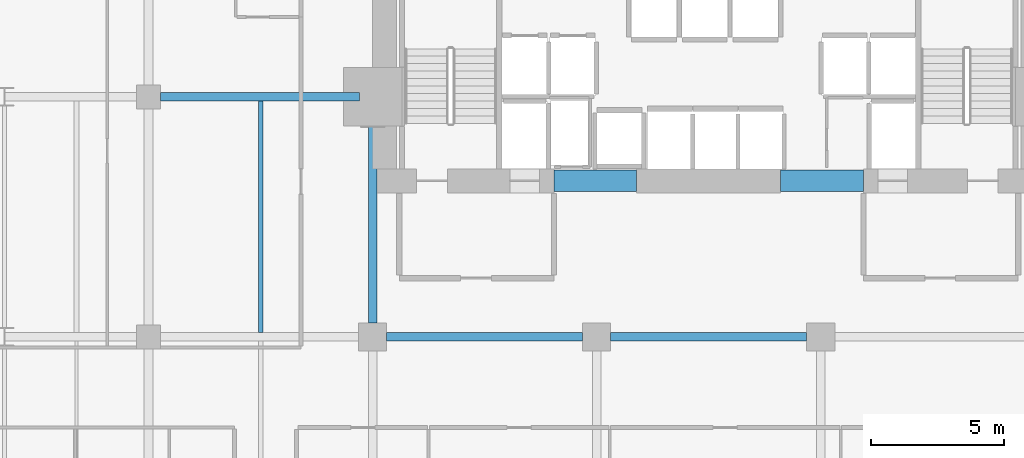
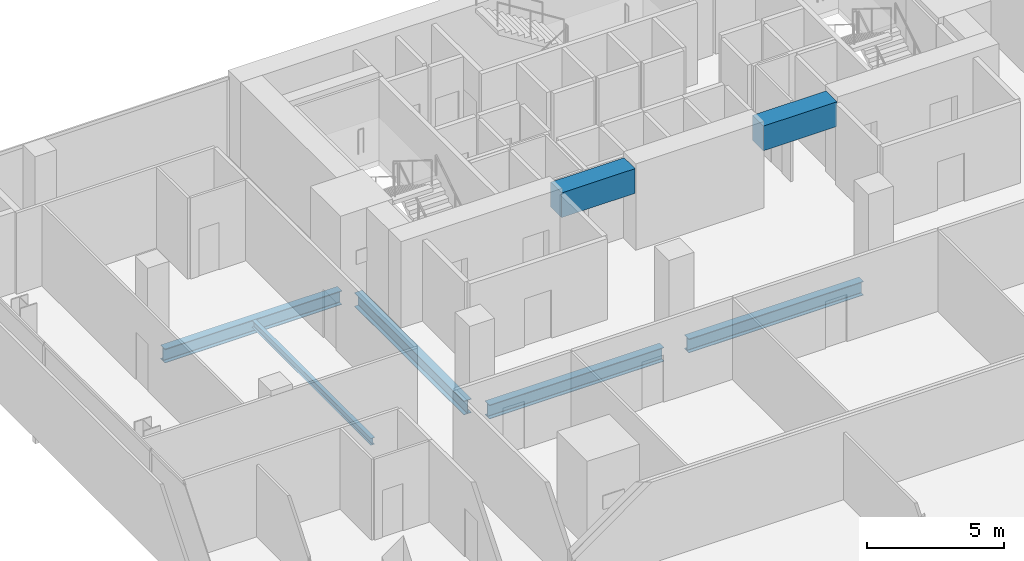
# One storey, part 24 of 39: 7 beams.
"""IFC4 building model written with IfcOpenShell, lengths in metres."""

import ifcopenshell
import ifcopenshell.guid

model = None  # the IFC model being written
_history = None  # IfcOwnerHistory: only IFC2X3 demands one
_inside = {}  # id of a spatial element -> (the spatial element, [elements in it])
_under = {}  # id of a project, library or spatial element -> (it, [spatial elements below it])
_declared = {}  # id of a project -> (the project, [libraries it declares])
_typed = {}  # id of a type object -> (the type object, [elements of that type])
_made_of = {}  # id of a material, layer set ... -> (it, [elements and type objects made of it])


def new_model(schema):
    """Start an empty IFC model of exactly this schema.

    Asked for "IFC4X3", IfcOpenShell would pick the latest addendum, in which some entities
    have other attributes; the version numbers below select the first issue.
    IFC2X3 requires an IfcOwnerHistory on every rooted entity: one is made here for all.
    """
    global model, _history
    if schema == "IFC4X3":
        model = ifcopenshell.file(schema_version=(4, 3, 0, 0))
    else:
        model = ifcopenshell.file(schema=schema)
    _inside.clear()
    _under.clear()
    _declared.clear()
    _typed.clear()
    _made_of.clear()
    _history = None
    if model.schema == "IFC2X3":
        org = make("IfcOrganization", Name="unknown")
        user = make(
            "IfcPersonAndOrganization",
            ThePerson=make("IfcPerson", FamilyName="unknown"),
            TheOrganization=org,
        )
        app = make(
            "IfcApplication",
            ApplicationDeveloper=org,
            Version="unknown",
            ApplicationFullName="unknown",
            ApplicationIdentifier="unknown",
        )
        _history = make(
            "IfcOwnerHistory",
            OwningUser=user,
            OwningApplication=app,
            ChangeAction="ADDED",
            CreationDate=0,
        )
    return model


def make(cls, **values):
    """One entity of the class cls with the attributes given. An attribute that is None is left unset."""
    return model.create_entity(
        cls, **{name: value for name, value in values.items() if value is not None}
    )


def rooted(cls, **values):
    """An entity with a GlobalId (a new one), such as an element, a storey or a relation."""
    return make(cls, GlobalId=ifcopenshell.guid.new(), OwnerHistory=_history, **values)


def si_unit(unit_type, name, prefix=None):
    """IfcSIUnit, for example si_unit("LENGTHUNIT", "METRE", prefix="MILLI")."""
    return make("IfcSIUnit", UnitType=unit_type, Prefix=prefix, Name=name)


def assignment(units):
    """IfcUnitAssignment: the units of a project."""
    return None if units is None else make("IfcUnitAssignment", Units=units)


def point(xyz):
    """IfcCartesianPoint."""
    return None if xyz is None else make("IfcCartesianPoint", Coordinates=xyz)


def direction(xyz):
    """IfcDirection."""
    return None if xyz is None else make("IfcDirection", DirectionRatios=xyz)


def frame(location, z_axis=None, x_axis=None):
    """IfcAxis2Placement3D, a coordinate frame: its origin and axes. An axis left out is left unset."""
    return make(
        "IfcAxis2Placement3D",
        Location=point(location),
        Axis=direction(z_axis),
        RefDirection=direction(x_axis),
    )


def frame_2d(location, x_axis=None):
    """IfcAxis2Placement2D, a coordinate frame in the plane: its origin and x axis."""
    return make(
        "IfcAxis2Placement2D", Location=point(location), RefDirection=direction(x_axis)
    )


def origin():
    """The frame at (0, 0, 0) with its axes left unset."""
    return frame((0.0, 0.0, 0.0))


def origin_2d():
    """The frame at (0, 0) in the plane with its x axis left unset."""
    return frame_2d((0.0, 0.0))


def place(relative_to, where):
    """IfcLocalPlacement: puts the frame where relative to a parent placement (None: the world)."""
    return make(
        "IfcLocalPlacement", PlacementRelTo=relative_to, RelativePlacement=where
    )


def context(
    kind, dimensions, precision=None, world=None, true_north=None, identifier=None
):
    """IfcGeometricRepresentationContext, for example the 3D "Model" context."""
    return make(
        "IfcGeometricRepresentationContext",
        ContextIdentifier=identifier,
        ContextType=kind,
        CoordinateSpaceDimension=dimensions,
        Precision=precision,
        WorldCoordinateSystem=world,
        TrueNorth=true_north,
    )


def subcontext(parent, identifier, kind, view, scale=None):
    """IfcGeometricRepresentationSubContext, for example "Body" below "Model"."""
    return make(
        "IfcGeometricRepresentationSubContext",
        ContextIdentifier=identifier,
        ContextType=kind,
        ParentContext=parent,
        TargetScale=scale,
        TargetView=view,
    )


def project(units=None, contexts=None):
    """IfcProject with its units and contexts."""
    return rooted(
        "IfcProject",
        Name="project",
        RepresentationContexts=contexts,
        UnitsInContext=assignment(units),
    )


def spatial(cls, under=None, at=None, **own):
    """A site, building, storey or space (cls), placed at a placement, below another one or the project."""
    s = rooted(cls, ObjectPlacement=at, **own)
    if under is not None:
        _under.setdefault(under.id(), (under, []))[1].append(s)
    return s


def profile(cls, at=None, kind="AREA", **sizes):
    """A parametric profile (cls). Its sizes go by their IFC names, for example OverallWidth=200.0."""
    return make(cls, ProfileType=kind, Position=at, **sizes)


def rectangle(**sizes):
    """IfcRectangleProfileDef."""
    return profile("IfcRectangleProfileDef", **sizes)


def i_section(**sizes):
    """IfcIShapeProfileDef."""
    return profile("IfcIShapeProfileDef", **sizes)


def extrude(swept, where, along, depth):
    """IfcExtrudedAreaSolid: the profile swept, set in the frame where, extruded along a direction by depth."""
    return make(
        "IfcExtrudedAreaSolid",
        SweptArea=swept,
        Position=where,
        ExtrudedDirection=direction(along),
        Depth=depth,
    )


def shape(context_of_items, identifier, shape_type, items):
    """IfcShapeRepresentation: the items that make up one representation, for example the "Body"."""
    return make(
        "IfcShapeRepresentation",
        ContextOfItems=context_of_items,
        RepresentationIdentifier=identifier,
        RepresentationType=shape_type,
        Items=items,
    )


def material(Name=None, Category=None):
    """IfcMaterial."""
    return make("IfcMaterial", Name=Name, Category=Category)


def material_profile(
    of_material, cross_section, Name=None, Category=None, Priority=None
):
    """IfcMaterialProfile: a cross section and its material."""
    return make(
        "IfcMaterialProfile",
        Name=Name,
        Material=of_material,
        Profile=cross_section,
        Priority=Priority,
        Category=Category,
    )


def profile_set(profiles, Name=None, composite=None):
    """IfcMaterialProfileSet."""
    return make(
        "IfcMaterialProfileSet",
        Name=Name,
        MaterialProfiles=profiles,
        CompositeProfile=composite,
    )


def made_of(thing, what):
    """Note that an element or type object is made of a material, layer set ...; save() writes the relation."""
    if what is not None:
        _made_of.setdefault(what.id(), (what, []))[1].append(thing)
    return thing


def type_object(cls, material=None, **own):
    """A type object (cls), such as IfcWallType, which elements share."""
    return made_of(rooted(cls, **own), material)


def element(
    cls,
    number,
    at=None,
    inside=None,
    cuts=None,
    type_object=None,
    material=None,
    context=None,
    identifier="Body",
    shape_type=None,
    held_by="IfcProductDefinitionShape",
    body=None,
    shapes=None,
    **own,
):
    """One element of the class cls, such as IfcWall. Its Tag is "e" and its number.

    at: its placement. inside: the storey or other place that contains it. cuts: it is an
    opening in that element (IfcRelVoidsElement). A single representation is given by context,
    identifier, shape_type and body (its items); several are given by shapes. held_by: the class
    of the entity that holds the representations. save() writes the other relations.
    """
    e = rooted(cls, Tag="e%d" % number, ObjectPlacement=at, **own)
    if body is not None:
        shapes = [shape(context, identifier, shape_type, body)]
    if shapes is not None:
        e.Representation = make(held_by, Representations=shapes)
    if inside is not None:
        _inside.setdefault(inside.id(), (inside, []))[1].append(e)
    if cuts is not None:
        rooted(
            "IfcRelVoidsElement", RelatingBuildingElement=cuts, RelatedOpeningElement=e
        )
    if type_object is not None:
        _typed.setdefault(type_object.id(), (type_object, []))[1].append(e)
    return made_of(e, material)


def aggregate(whole, parts):
    """IfcRelAggregates: a whole, such as a stair, and the parts it consists of."""
    return rooted("IfcRelAggregates", RelatingObject=whole, RelatedObjects=parts)


def save(model, path):
    """Write the relations noted so far, then the file.

    IfcRelAggregates (storeys below a building ...), IfcRelContainedInSpatialStructure (elements
    in a storey), IfcRelDefinesByType, IfcRelAssociatesMaterial and IfcRelDeclares: one each for
    every whole, place, type object, material and project.
    """
    for whole, parts in _under.values():
        aggregate(whole, parts)
    for where, things in _inside.values():
        rooted(
            "IfcRelContainedInSpatialStructure",
            RelatedElements=things,
            RelatingStructure=where,
        )
    for kind, things in _typed.values():
        rooted("IfcRelDefinesByType", RelatedObjects=things, RelatingType=kind)
    for what, things in _made_of.values():
        rooted("IfcRelAssociatesMaterial", RelatedObjects=things, RelatingMaterial=what)
    for by, libraries in _declared.values():
        rooted("IfcRelDeclares", RelatingContext=by, RelatedDefinitions=libraries)
    model.write(path)


model = new_model("IFC4")

# Units and contexts
model_context = context("Model", 3, precision=1e-05, world=origin(), true_north=direction((0.0, 1.0)))
body_context = subcontext(model_context, "Body", "Model", "MODEL_VIEW")
ifc_project = project(units=[si_unit("LENGTHUNIT", "METRE"), si_unit("AREAUNIT", "SQUARE_METRE"), si_unit("VOLUMEUNIT", "CUBIC_METRE"), si_unit("PLANEANGLEUNIT", "RADIAN"), si_unit("MASSUNIT", "GRAM", prefix="KILO")], contexts=[model_context])

# Site, building, storey
site_placement = place(None, origin())
site = spatial("IfcSite", under=ifc_project, at=site_placement, CompositionType="ELEMENT")
building_placement = place(site_placement, origin())
building = spatial("IfcBuilding", under=site, at=building_placement, Name="Maruvema Waterfront Hotel and Observation Tower", CompositionType="ELEMENT")
storey_placement = place(building_placement, frame((0.0, 0.0, 69.300048828125)))
storey = spatial("IfcBuildingStorey", under=building, at=storey_placement, Name="L16", CompositionType="ELEMENT", Elevation=69.300048828125)

# Beams
ifc_material_1 = material(Name="Concrete C60/75", Category="concrete")
ifc_material_profile_1 = material_profile(ifc_material_1, rectangle(XDim=0.800048828125, YDim=1.10009765625, at=origin_2d()), Name="CB800x1100")
ifc_profile_set_1 = profile_set([ifc_material_profile_1], Name="Concrete C60/75")
beam_type_1 = type_object("IfcBeamType", Name="Core Coupling Lintel Beam CB800x1100", PredefinedType="LINTEL", material=ifc_profile_set_1)
for number, where, z_axis, x_axis, name in (
    (1, (32.0, 41.85009765625, 3.06005859375), (1.0, 0.0, 0.0), (0.0, 1.0, 0.0), "L16 Core Coupling Lintel Beam West"),
    (2, (40.5, 41.85009765625, 3.06005859375), (1.0, 0.0, 0.0), (0.0, 1.0, 0.0), "L16 Core Coupling Lintel Beam East"),
):
    element("IfcBeam", number, at=place(storey_placement, frame(where, z_axis=z_axis, x_axis=x_axis)), inside=storey, type_object=beam_type_1, Name=name, PredefinedType="LINTEL", context=body_context, shape_type="SweptSolid", body=[
        extrude(rectangle(XDim=0.800048828125, YDim=1.10009765625, at=origin_2d()), origin(), (0.0, 0.0, 1.0), 3.10009765625),
    ])
ifc_material_2 = material(Name="Steel ASTM A572 Grade 50", Category="steel")
ifc_material_profile_2 = material_profile(ifc_material_2, i_section(OverallWidth=0.326904296875, OverallDepth=0.6220703125, WebThickness=0.015380859375, FlangeThickness=0.0244140625, FilletRadius=0.01806640625, at=origin_2d()), Name="W610x195.0")
ifc_profile_set_2 = profile_set([ifc_material_profile_2], Name="Steel ASTM A572 Grade 50")
beam_type_2 = type_object("IfcBeamType", Name="Primary Floor Girder W610x195.0", PredefinedType="BEAM", material=ifc_profile_set_2)
beam_1_placement = place(storey_placement, frame((25.72509765625, 36.0, -0.551025390625), z_axis=(1.0, 0.0, 0.0), x_axis=(0.0, 1.0, 0.0)))
element("IfcBeam", 3, at=beam_1_placement, inside=storey, type_object=beam_type_2, Name="L16 Floor Girder EW-27", PredefinedType="BEAM", context=body_context, shape_type="SweptSolid", body=[
    extrude(i_section(OverallWidth=0.326904296875, OverallDepth=0.6220703125, WebThickness=0.015380859375, FlangeThickness=0.0244140625, FilletRadius=0.01806640625, at=origin_2d()), origin(), (0.0, 0.0, 1.0), 7.349853515625),
])
beam_2_placement = place(storey_placement, frame((34.125, 36.0, -0.551025390625), z_axis=(1.0, 0.0, 0.0), x_axis=(0.0, 1.0, 0.0)))
element("IfcBeam", 4, at=beam_2_placement, inside=storey, type_object=beam_type_2, Name="L16 Floor Girder EW-28", PredefinedType="BEAM", context=body_context, shape_type="SweptSolid", body=[
    extrude(i_section(OverallWidth=0.326904296875, OverallDepth=0.6220703125, WebThickness=0.015380859375, FlangeThickness=0.0244140625, FilletRadius=0.01806640625, at=origin_2d()), origin(), (0.0, 0.0, 1.0), 7.35009765625),
])
beam_3_placement = place(storey_placement, frame((17.25, 45.0, -0.551025390625), z_axis=(1.0, 0.0, 0.0), x_axis=(0.0, 1.0, 0.0)))
element("IfcBeam", 5, at=beam_3_placement, inside=storey, type_object=beam_type_2, Name="L16 Floor Girder EW-33", PredefinedType="BEAM", context=body_context, shape_type="SweptSolid", body=[
    extrude(i_section(OverallWidth=0.326904296875, OverallDepth=0.6220703125, WebThickness=0.015380859375, FlangeThickness=0.0244140625, FilletRadius=0.01806640625, at=origin_2d()), origin(), (0.0, 0.0, 1.0), 7.449951171875),
])
beam_4_placement = place(storey_placement, frame((25.199951171875, 36.52490234375, -0.551025390625), z_axis=(0.0, 1.0, 0.0), x_axis=(-1.0, 0.0, 0.0)))
element("IfcBeam", 6, at=beam_4_placement, inside=storey, type_object=beam_type_2, Name="L16 Floor Girder NS-15", PredefinedType="BEAM", context=body_context, shape_type="SweptSolid", body=[
    extrude(i_section(OverallWidth=0.326904296875, OverallDepth=0.6220703125, WebThickness=0.015380859375, FlangeThickness=0.0244140625, FilletRadius=0.01806640625, at=origin_2d()), origin(), (0.0, 0.0, 1.0), 7.97509765625),
])
ifc_material_3 = material(Name="Steel ASTM A572 Grade 50", Category="steel")
ifc_material_profile_3 = material_profile(ifc_material_3, i_section(OverallWidth=0.1650390625, OverallDepth=0.31005859375, WebThickness=0.005859375, FlangeThickness=0.009765625, FilletRadius=0.012939453125, at=origin_2d()), Name="W310x38.7")
ifc_profile_set_3 = profile_set([ifc_material_profile_3], Name="Steel ASTM A572 Grade 50")
beam_type_3 = type_object("IfcBeamType", Name="Secondary Floor Joist W310x38.7", PredefinedType="JOIST", material=ifc_profile_set_3)
beam_5_placement = place(storey_placement, frame((21.0, 36.16357421875, -0.39501953125), z_axis=(0.0, 1.0, 0.0), x_axis=(-1.0, 0.0, 0.0)))
element("IfcBeam", 7, at=beam_5_placement, inside=storey, type_object=beam_type_3, Name="L16 Secondary Floor Joist JS-09", PredefinedType="JOIST", context=body_context, shape_type="SweptSolid", body=[
    extrude(i_section(OverallWidth=0.1650390625, OverallDepth=0.31005859375, WebThickness=0.005859375, FlangeThickness=0.009765625, FilletRadius=0.012939453125, at=origin_2d()), origin(), (0.0, 0.0, 1.0), 8.6728515625),
])

save(model, "model.ifc")
